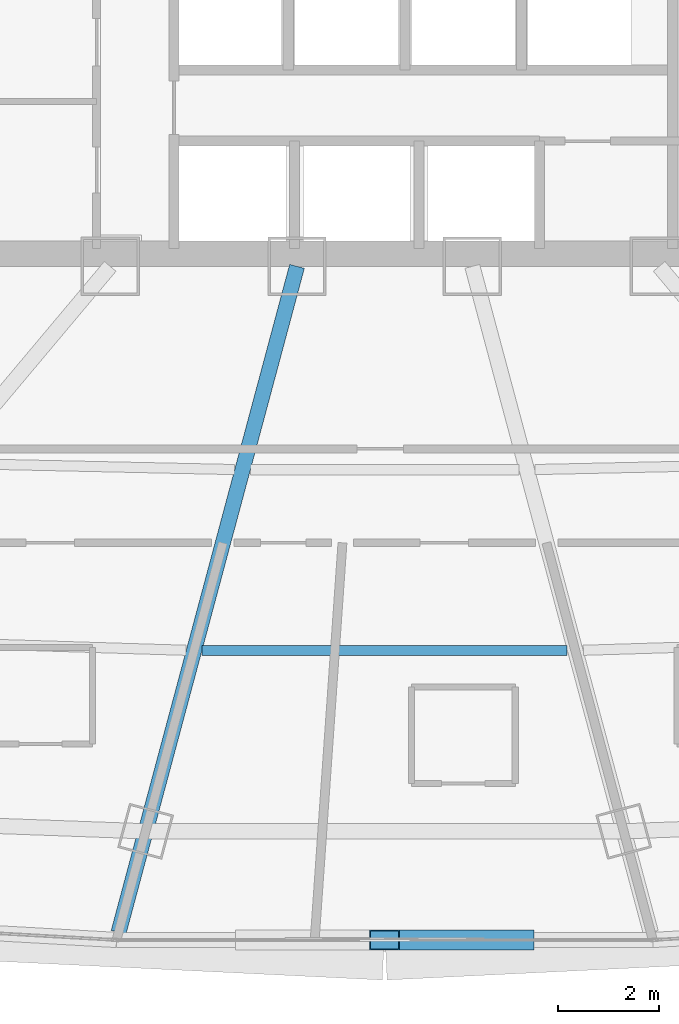
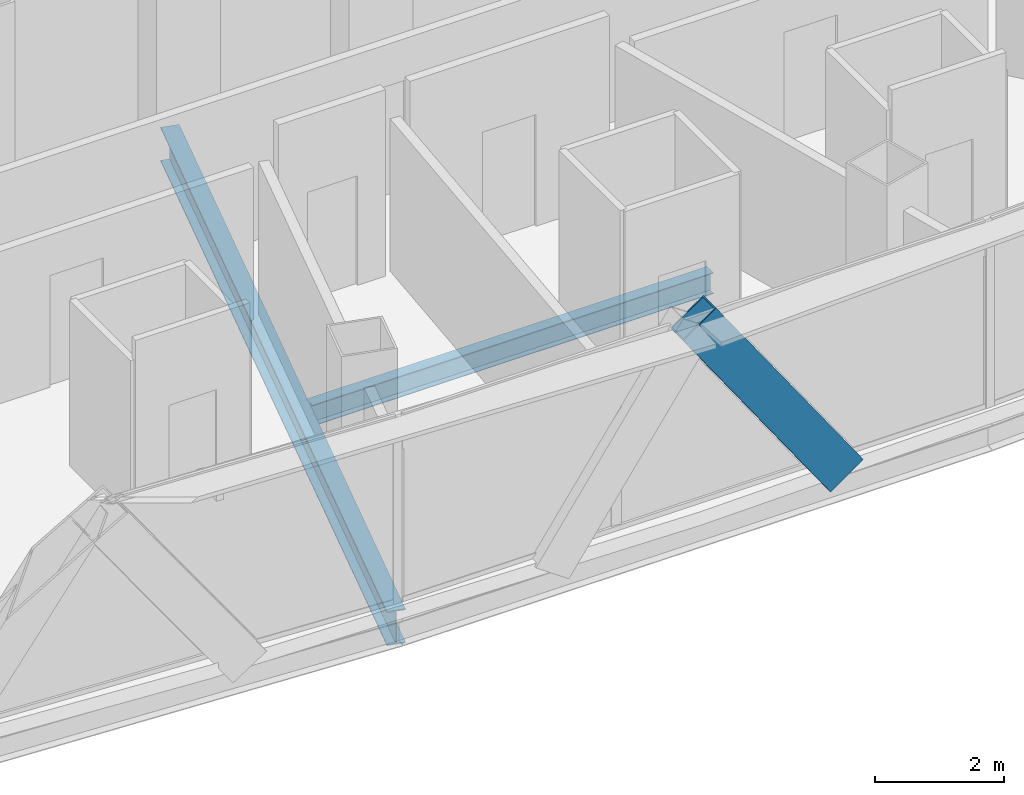
# One storey, part 11 of 40: 2 beams, 1 member.
"""IFC4 building model written with IfcOpenShell, lengths in metres."""

from ifc_helpers import new_model, si_unit, direction, frame, origin, origin_2d, place, context, subcontext, project, spatial, hollow_rectangle, i_section, extrude, source, transform, mapped, material, material_profile, profile_set, type_object, element, save


model = new_model("IFC4")

# Units and contexts
model_context = context("Model", 3, precision=1e-05, world=origin(), true_north=direction((0.0, 1.0)))
body_context = subcontext(model_context, "Body", "Model", "MODEL_VIEW")
ifc_project = project(units=[si_unit("LENGTHUNIT", "METRE"), si_unit("AREAUNIT", "SQUARE_METRE"), si_unit("VOLUMEUNIT", "CUBIC_METRE"), si_unit("PLANEANGLEUNIT", "RADIAN"), si_unit("MASSUNIT", "GRAM", prefix="KILO"), si_unit("THERMODYNAMICTEMPERATUREUNIT", "KELVIN"), si_unit("POWERUNIT", "WATT")], contexts=[model_context])

# Site, building, storey
site_placement = place(None, origin())
site = spatial("IfcSite", under=ifc_project, at=site_placement, CompositionType="ELEMENT")
building_placement = place(site_placement, origin())
building = spatial("IfcBuilding", under=site, at=building_placement, Name="Yunzhuo Pagoda Commons", CompositionType="ELEMENT")
storey_placement = place(building_placement, frame((0.0, 0.0, 180.9599609375)))
storey = spatial("IfcBuildingStorey", under=building, at=storey_placement, Name="L45", CompositionType="ELEMENT", Elevation=180.9599609375)

# Beams
ifc_material = material(Name="Structural steel Q355B", Category="steel")
ifc_material_profile_1 = material_profile(ifc_material, i_section(OverallWidth=0.300048828125, OverallDepth=0.64990234375, WebThickness=0.012939453125, FlangeThickness=0.02197265625, at=origin_2d()), Name="Structural steel Q355B")
ifc_profile_set_1 = profile_set([ifc_material_profile_1], Name="Structural steel Q355B")
beam_type_1 = type_object("IfcBeamType", Name="B-RG2 Beam HN 650x300x13x22", PredefinedType="BEAM", material=ifc_profile_set_1)
shared_shape_1 = source(origin(), body_context, "Body", "SweptSolid", [
    extrude(i_section(OverallWidth=0.300048828125, OverallDepth=0.64990234375, WebThickness=0.012939453125, FlangeThickness=0.02197265625, at=origin_2d()), origin(), (0.0, 0.0, 1.0), 13.593017578125),
])
beam_1_placement = place(storey_placement, frame((42.753662109375, 14.1201171875, -0.5849609375), z_axis=(0.258830648495, 0.965922717095, 0.0), x_axis=(-0.965922717095, 0.258830648495, 0.0)))
element("IfcBeam", 1, at=beam_1_placement, inside=storey, type_object=beam_type_1, Name="L45 radial floor girder F1C2", PredefinedType="BEAM", context=body_context, shape_type="MappedRepresentation", body=[
    mapped(shared_shape_1, transform((0.0, 0.0, 0.0), scale=1.0)),
])
ifc_material_profile_2 = material_profile(ifc_material, i_section(OverallWidth=0.199951171875, OverallDepth=0.39990234375, WebThickness=0.008056640625, FlangeThickness=0.012939453125, at=origin_2d()), Name="Structural steel Q355B")
ifc_profile_set_2 = profile_set([ifc_material_profile_2], Name="Structural steel Q355B")
beam_type_2 = type_object("IfcBeamType", Name="B-JS1 Joist HN 400x200x8x13", PredefinedType="JOIST", material=ifc_profile_set_2)
shared_shape_2 = source(origin(), body_context, "Body", "SweptSolid", [
    extrude(i_section(OverallWidth=0.199951171875, OverallDepth=0.39990234375, WebThickness=0.008056640625, FlangeThickness=0.012939453125, at=origin_2d()), origin(), (0.0, 0.0, 1.0), 7.197265625),
])
beam_2_placement = place(storey_placement, frame((44.4013671875, 19.676513671875, -0.4599609375), z_axis=(1.0, 0.0, 0.0), x_axis=(0.0, 1.0, 0.0)))
element("IfcBeam", 2, at=beam_2_placement, inside=storey, type_object=beam_type_2, Name="L45 composite ring joist 2.2", PredefinedType="JOIST", context=body_context, shape_type="MappedRepresentation", body=[
    mapped(shared_shape_2, transform((0.0, 0.0, 0.0), scale=1.0)),
])

# Member
ifc_material_profile_3 = material_profile(ifc_material, hollow_rectangle(XDim=0.39990234375, YDim=0.719970703125, WallThickness=0.02392578125, at=origin_2d()), Name="Structural steel Q355B")
ifc_profile_set_3 = profile_set([ifc_material_profile_3], Name="Structural steel Q355B")
member_type = type_object("IfcMemberType", Name="M-DL2 Brace BOX 720x400x24", PredefinedType="BRACE", material=ifc_profile_set_3)
shared_shape_3 = source(origin(), body_context, "Body", "SweptSolid", [
    extrude(hollow_rectangle(XDim=0.39990234375, YDim=0.719970703125, WallThickness=0.02392578125, at=origin_2d()), origin(), (0.0, 0.0, 1.0), 4.629150390625),
])
member_placement = place(storey_placement, frame((50.6435546875, 13.970458984375, -0.260009765625), z_axis=(-0.571070669197, 0.0, 0.820900901926), x_axis=(0.0, -1.0, 0.0)))
element("IfcMember", 3, at=member_placement, inside=storey, type_object=member_type, Name="L45 facade diamond brace F1.2R", PredefinedType="BRACE", context=body_context, shape_type="MappedRepresentation", body=[
    mapped(shared_shape_3, transform((0.0, 0.0, 0.0), scale=1.0)),
])

save(model, "model.ifc")
